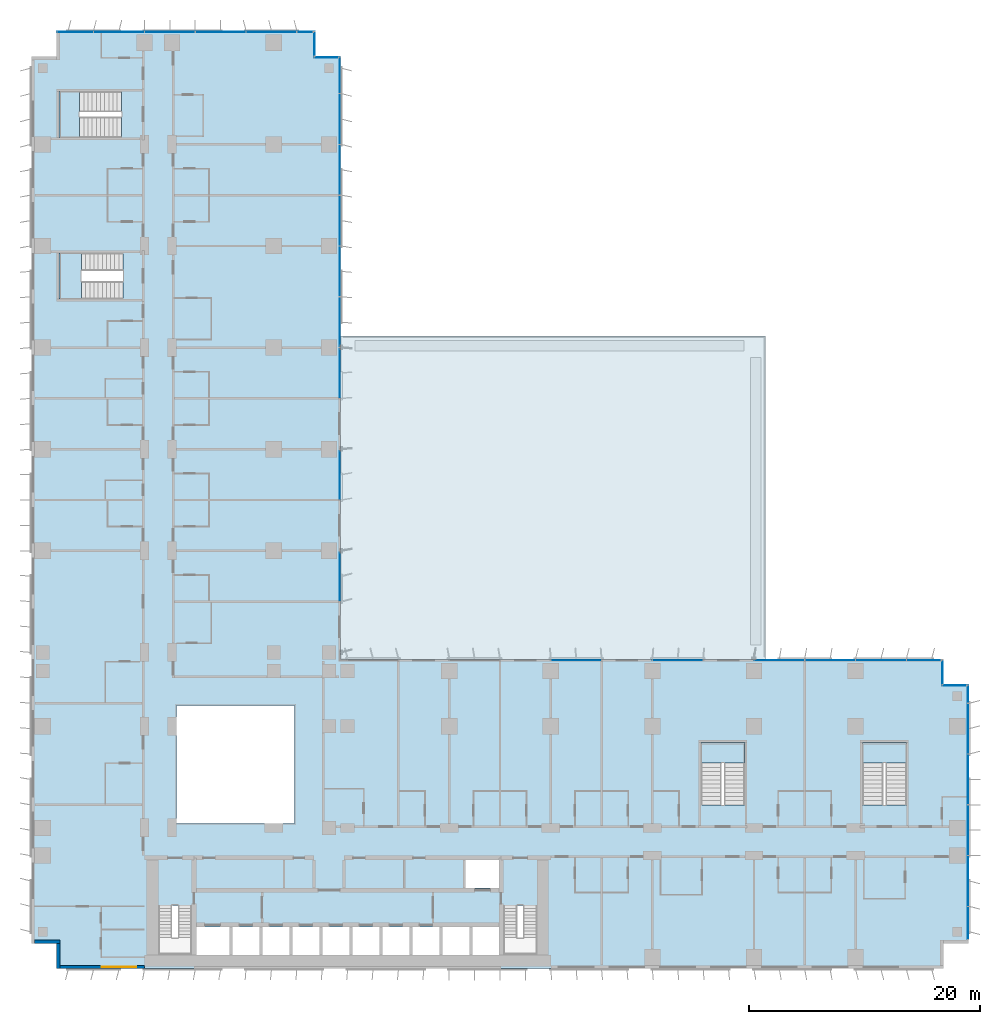
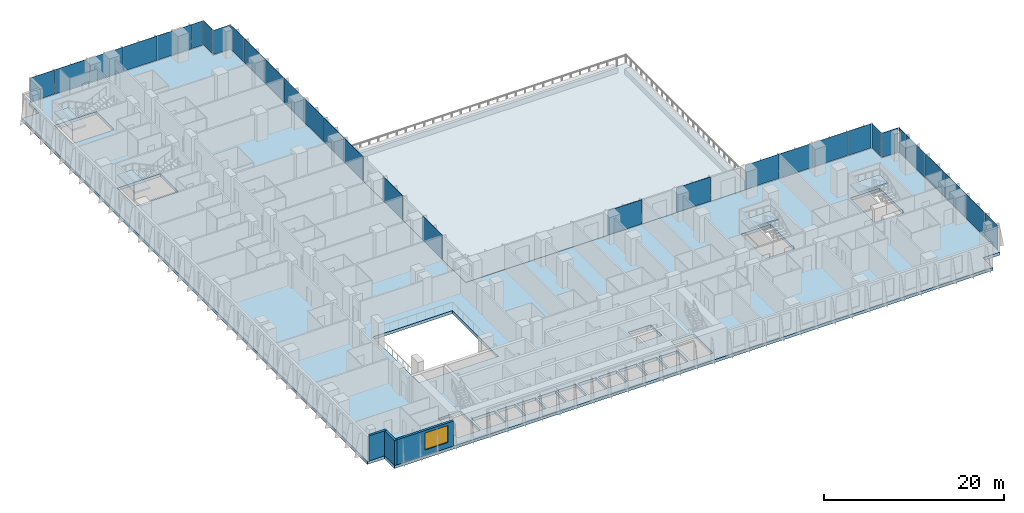
# One storey, part 9 of 23: 31 plates, 6 slabs, 3 walls, 1 window, 1 opening, 16 elements without a shape of their own.
"""IFC4 building model written with IfcOpenShell, lengths in metres."""

from ifc_helpers import new_model, si_unit, direction, frame, frame_2d, origin, origin_2d, place, context, subcontext, project, spatial, polyline, rectangle, outline, extrude, source, transform, mapped, material, layer, layer_set, type_object, element, fill, aggregate, save


model = new_model("IFC4")

# Units and contexts
model_context = context("Model", 3, precision=1e-05, world=origin(), true_north=direction((0.0, 1.0)))
body_context = subcontext(model_context, "Body", "Model", "MODEL_VIEW")
ifc_project = project(units=[si_unit("LENGTHUNIT", "METRE"), si_unit("AREAUNIT", "SQUARE_METRE"), si_unit("VOLUMEUNIT", "CUBIC_METRE"), si_unit("PLANEANGLEUNIT", "RADIAN"), si_unit("MASSUNIT", "GRAM", prefix="KILO")], contexts=[model_context])

# Site, building, storey
site_placement = place(None, origin())
site = spatial("IfcSite", under=ifc_project, at=site_placement, CompositionType="ELEMENT")
building_placement = place(site_placement, origin())
building = spatial("IfcBuilding", under=site, at=building_placement, Name="Kemantara Hotel Tower", CompositionType="ELEMENT")
storey_placement = place(building_placement, frame((0.0, 0.0, 34.0)))
storey = spatial("IfcBuildingStorey", under=building, at=storey_placement, Name="L06", CompositionType="ELEMENT", Elevation=34.0)

# Slabs
ifc_material_1 = material(Name="Concrete fc 40 MPa", Category="concrete")
ifc_layer_1 = layer(ifc_material_1, 0.39990234375)
ifc_layer_set_1 = layer_set([ifc_layer_1], Name="Concrete fc 40 MPa")
slab_type_1 = type_object("IfcSlabType", Name="POST-TENSIONED FLAT PLATE 400", PredefinedType="FLOOR", material=ifc_layer_set_1)
slab_1_placement = place(storey_placement, frame((0.0, 0.0, -0.39990234375)))
element("IfcSlab", 1, at=slab_1_placement, inside=storey, type_object=slab_type_1, Name="FLOOR SLAB L06", PredefinedType="FLOOR", context=body_context, shape_type="SweptSolid", body=[
    extrude(outline(polyline([(0.0, 2.199951171875), (2.199951171875, 2.199951171875), (2.199951171875, 0.0), (79.0, 0.0), (79.0, 2.199951171875), (81.199951171875, 2.199951171875), (81.199951171875, 24.60009765625), (79.0, 24.60009765625), (79.0, 26.800048828125), (26.800048828125, 26.800048828125), (26.800048828125, 79.0), (24.60009765625, 79.0), (24.60009765625, 81.199951171875), (2.199951171875, 81.199951171875), (2.199951171875, 79.0), (0.0, 79.0), (0.0, 2.199951171875)]), holes=[polyline([(17.175048828125, 1.199951171875), (14.22509765625, 1.199951171875), (14.22509765625, 3.60009765625), (17.175048828125, 3.60009765625), (17.175048828125, 1.199951171875)]), polyline([(19.77490234375, 1.199951171875), (17.425048828125, 1.199951171875), (17.425048828125, 3.60009765625), (19.77490234375, 3.60009765625), (19.77490234375, 1.199951171875)]), polyline([(22.375, 1.199951171875), (20.02490234375, 1.199951171875), (20.02490234375, 3.60009765625), (22.375, 3.60009765625), (22.375, 1.199951171875)]), polyline([(24.97509765625, 1.199951171875), (22.625, 1.199951171875), (22.625, 3.60009765625), (24.97509765625, 3.60009765625), (24.97509765625, 1.199951171875)]), polyline([(27.574951171875, 1.199951171875), (25.22509765625, 1.199951171875), (25.22509765625, 3.60009765625), (27.574951171875, 3.60009765625), (27.574951171875, 1.199951171875)]), polyline([(11.0, 1.199951171875), (11.0, 5.49951171875), (13.89990234375, 5.49951171875), (13.89990234375, 1.199951171875), (11.0, 1.199951171875)]), polyline([(22.800048828125, 12.60009765625), (12.60009765625, 12.60009765625), (12.60009765625, 22.800048828125), (22.800048828125, 22.800048828125), (22.800048828125, 12.60009765625)]), polyline([(7.949462890625, 62.0), (7.949462890625, 58.0), (2.39990234375, 58.0), (2.39990234375, 62.0), (7.949462890625, 62.0)]), polyline([(7.79931640625, 76.0), (7.79931640625, 72.0), (2.39990234375, 72.0), (2.39990234375, 76.0), (7.79931640625, 76.0)]), polyline([(30.175048828125, 1.199951171875), (27.824951171875, 1.199951171875), (27.824951171875, 3.60009765625), (30.175048828125, 3.60009765625), (30.175048828125, 1.199951171875)]), polyline([(32.77490234375, 1.199951171875), (30.425048828125, 1.199951171875), (30.425048828125, 3.60009765625), (32.77490234375, 3.60009765625), (32.77490234375, 1.199951171875)]), polyline([(35.375, 1.199951171875), (33.02490234375, 1.199951171875), (33.02490234375, 3.60009765625), (35.375, 3.60009765625), (35.375, 1.199951171875)]), polyline([(37.97509765625, 1.199951171875), (35.625, 1.199951171875), (35.625, 3.60009765625), (37.97509765625, 3.60009765625), (37.97509765625, 1.199951171875)]), polyline([(40.574951171875, 1.199951171875), (38.22509765625, 1.199951171875), (38.22509765625, 3.60009765625), (40.574951171875, 3.60009765625), (40.574951171875, 1.199951171875)]), polyline([(40.89990234375, 1.199951171875), (40.89990234375, 5.49951171875), (43.800048828125, 5.49951171875), (43.800048828125, 1.199951171875), (40.89990234375, 1.199951171875)]), polyline([(40.574951171875, 7.0), (37.625, 7.0), (37.625, 9.39990234375), (40.574951171875, 9.39990234375), (40.574951171875, 7.0)]), polyline([(61.800048828125, 14.20068359375), (58.0, 14.20068359375), (58.0, 19.60009765625), (61.800048828125, 19.60009765625), (61.800048828125, 14.20068359375)]), polyline([(75.800048828125, 14.20068359375), (72.0, 14.20068359375), (72.0, 19.60009765625), (75.800048828125, 19.60009765625), (75.800048828125, 14.20068359375)])]), origin(), (0.0, 0.0, 1.0), 0.39990234375),
])
ifc_layer_2 = layer(ifc_material_1, 0.39990234375)
ifc_layer_set_2 = layer_set([ifc_layer_2], Name="Concrete fc 40 MPa")
slab_type_2 = type_object("IfcSlabType", Name="REINFORCED DECK SLAB 400", PredefinedType="FLOOR", material=ifc_layer_set_2)
slab_2_placement = place(storey_placement, frame((0.0, 0.0, -0.449951171875)))
element("IfcSlab", 2, at=slab_2_placement, inside=storey, type_object=slab_type_2, Name="TERRACE SLAB PODIUM", PredefinedType="FLOOR", context=body_context, shape_type="SweptSolid", body=[
    extrude(outline(polyline([(26.800048828125, 54.800048828125), (26.800048828125, 26.800048828125), (63.60009765625, 26.800048828125), (63.60009765625, 54.800048828125), (26.800048828125, 54.800048828125)])), origin(), (0.0, 0.0, 1.0), 0.39990234375),
])

# Stair, slab
stair_type_1 = type_object("IfcStairType", Name="Stair 1800 wide 22 risers of 168 x 360 mm", PredefinedType="HALF_TURN_STAIR", material=ifc_material_1)
stair_1_placement = place(storey_placement, origin())
stair_1 = element("IfcStair", 3, at=stair_1_placement, inside=storey, type_object=stair_type_1, Name="L06 Exit stair ST3", PredefinedType="HALF_TURN_STAIR")
ifc_layer_3 = layer(ifc_material_1, 0.199951171875)
ifc_layer_set_3 = layer_set([ifc_layer_3], Name="Concrete fc 40 MPa")
slab_type_3 = type_object("IfcSlabType", Name="Stair landing 200 mm", PredefinedType="LANDING", material=ifc_layer_set_3)
slab_3_placement = place(storey_placement, frame((0.0, 0.0, 1.64990234375)))
slab_3 = element("IfcSlab", 4, at=slab_3_placement, type_object=slab_type_3, Name="ST3 landing 1", PredefinedType="LANDING", context=body_context, shape_type="SweptSolid", body=[
    extrude(outline(polyline([(61.800048828125, 17.800048828125), (61.800048828125, 19.60009765625), (58.0, 19.60009765625), (58.0, 17.800048828125), (61.800048828125, 17.800048828125)])), origin(), (0.0, 0.0, 1.0), 0.2001953125),
])
aggregate(stair_1, [slab_3])

stair_type_2 = type_object("IfcStairType", Name="Stair 1550 wide 22 risers of 168 x 360 mm", PredefinedType="HALF_TURN_STAIR", material=ifc_material_1)
stair_2_placement = place(storey_placement, origin())
stair_2 = element("IfcStair", 5, at=stair_2_placement, inside=storey, type_object=stair_type_2, Name="L06 Exit stair ST4", PredefinedType="HALF_TURN_STAIR")
slab_4_placement = place(storey_placement, frame((0.0, 0.0, 1.64990234375)))
slab_4 = element("IfcSlab", 6, at=slab_4_placement, type_object=slab_type_3, Name="ST4 landing 1", PredefinedType="LANDING", context=body_context, shape_type="SweptSolid", body=[
    extrude(outline(polyline([(4.35009765625, 62.0), (2.39990234375, 62.0), (2.39990234375, 58.0), (4.35009765625, 58.0), (4.35009765625, 62.0)])), origin(), (0.0, 0.0, 1.0), 0.2001953125),
])
aggregate(stair_2, [slab_4])

stair_3_placement = place(storey_placement, origin())
stair_3 = element("IfcStair", 7, at=stair_3_placement, inside=storey, type_object=stair_type_1, Name="L06 Exit stair ST5", PredefinedType="HALF_TURN_STAIR")
slab_5_placement = place(storey_placement, frame((0.0, 0.0, 1.64990234375)))
slab_5 = element("IfcSlab", 8, at=slab_5_placement, type_object=slab_type_3, Name="ST5 landing 1", PredefinedType="LANDING", context=body_context, shape_type="SweptSolid", body=[
    extrude(outline(polyline([(75.800048828125, 17.800048828125), (75.800048828125, 19.60009765625), (72.0, 19.60009765625), (72.0, 17.800048828125), (75.800048828125, 17.800048828125)])), origin(), (0.0, 0.0, 1.0), 0.2001953125),
])
aggregate(stair_3, [slab_5])

stair_4_placement = place(storey_placement, origin())
stair_4 = element("IfcStair", 9, at=stair_4_placement, inside=storey, type_object=stair_type_1, Name="L06 Exit stair ST6", PredefinedType="HALF_TURN_STAIR")
slab_6_placement = place(storey_placement, frame((0.0, 0.0, 1.64990234375)))
slab_6 = element("IfcSlab", 10, at=slab_6_placement, type_object=slab_type_3, Name="ST6 landing 1", PredefinedType="LANDING", context=body_context, shape_type="SweptSolid", body=[
    extrude(outline(polyline([(4.199951171875, 76.0), (2.39990234375, 76.0), (2.39990234375, 72.0), (4.199951171875, 72.0), (4.199951171875, 76.0)])), origin(), (0.0, 0.0, 1.0), 0.2001953125),
])
aggregate(stair_4, [slab_6])

# Curtain wall, plates
ifc_material_2 = material(Name="Low-E tinted double insulated glass 36 mm", Category="glass")
curtain_wall_type_1 = type_object("IfcCurtainWallType", Name="TOWER CURTAIN WALL, FRONT FACES", PredefinedType="USERDEFINED", material=ifc_material_2)
curtain_wall_1_placement = place(storey_placement, origin())
curtain_wall_1 = element("IfcCurtainWall", 11, at=curtain_wall_1_placement, inside=storey, type_object=curtain_wall_type_1, Name="CW4 L06 T1-R04-1", ObjectType="TOWER CURTAIN WALL, FRONT FACES", PredefinedType="USERDEFINED")
ifc_layer_4 = layer(ifc_material_2, 0.035888671875)
ifc_layer_set_4 = layer_set([ifc_layer_4], Name="Low-E tinted double insulated glass 36 mm")
plate_type_1 = type_object("IfcPlateType", Name="TOWER CURTAIN WALL, FRONT FACES PANEL", PredefinedType="CURTAIN_PANEL", material=ifc_layer_set_4)
shared_shape_1 = source(origin(), body_context, "Body", "SweptSolid", [
    extrude(rectangle(XDim=2.81005859375, YDim=0.035888671875, at=origin_2d()), origin(), (0.0, 0.0, 1.0), 3.280029296875),
])
plate_1_placement = place(storey_placement, frame((81.125, 3.965087890625, 0.1201171875), z_axis=(0.0, 0.0, 1.0), x_axis=(0.0, 1.0, 0.0)))
plate_1 = element("IfcPlate", 12, at=plate_1_placement, type_object=plate_type_1, Name="CW4 glass panel T1-R04-1.1", PredefinedType="CURTAIN_PANEL", context=body_context, shape_type="MappedRepresentation", body=[
    mapped(shared_shape_1, transform((0.0, 0.0, 0.0))),
])
shared_shape_2 = source(origin(), body_context, "Body", "SweptSolid", [
    extrude(rectangle(XDim=4.340087890625, YDim=0.035888671875, at=origin_2d()), origin(), (0.0, 0.0, 1.0), 3.280029296875),
])
plate_2_placement = place(storey_placement, frame((81.125, 7.60009765625, 0.1201171875), z_axis=(0.0, 0.0, 1.0), x_axis=(0.0, 1.0, 0.0)))
plate_2 = element("IfcPlate", 13, at=plate_2_placement, type_object=plate_type_1, Name="CW4 glass panel T1-R04-1.2", PredefinedType="CURTAIN_PANEL", context=body_context, shape_type="MappedRepresentation", body=[
    mapped(shared_shape_2, transform((0.0, 0.0, 0.0))),
])
plate_3_placement = place(storey_placement, frame((81.125, 12.0, 0.1201171875), z_axis=(0.0, 0.0, 1.0), x_axis=(0.0, 1.0, 0.0)))
plate_3 = element("IfcPlate", 14, at=plate_3_placement, type_object=plate_type_1, Name="CW4 glass panel T1-R04-1.3", PredefinedType="CURTAIN_PANEL", context=body_context, shape_type="MappedRepresentation", body=[
    mapped(shared_shape_2, transform((0.0, 0.0, 0.0))),
])
plate_4_placement = place(storey_placement, frame((81.125, 16.39990234375, 0.1201171875), z_axis=(0.0, 0.0, 1.0), x_axis=(0.0, 1.0, 0.0)))
plate_4 = element("IfcPlate", 15, at=plate_4_placement, type_object=plate_type_1, Name="CW4 glass panel T1-R04-1.4", PredefinedType="CURTAIN_PANEL", context=body_context, shape_type="MappedRepresentation", body=[
    mapped(shared_shape_2, transform((0.0, 0.0, 0.0))),
])
plate_5_placement = place(storey_placement, frame((81.125, 20.800048828125, 0.1201171875), z_axis=(0.0, 0.0, 1.0), x_axis=(0.0, 1.0, 0.0)))
plate_5 = element("IfcPlate", 16, at=plate_5_placement, type_object=plate_type_1, Name="CW4 glass panel T1-R04-1.5", PredefinedType="CURTAIN_PANEL", context=body_context, shape_type="MappedRepresentation", body=[
    mapped(shared_shape_2, transform((0.0, 0.0, 0.0))),
])

curtain_wall_2_placement = place(storey_placement, origin())
curtain_wall_2 = element("IfcCurtainWall", 17, at=curtain_wall_2_placement, inside=storey, type_object=curtain_wall_type_1, Name="CW4 L06 T1-R11-1", ObjectType="TOWER CURTAIN WALL, FRONT FACES", PredefinedType="USERDEFINED")
plate_6_placement = place(storey_placement, frame((20.800048828125, 81.125, 0.1201171875), z_axis=(0.0, 0.0, 1.0), x_axis=(-1.0, 0.0, 0.0)))
plate_6 = element("IfcPlate", 18, at=plate_6_placement, type_object=plate_type_1, Name="CW4 glass panel T1-R11-1.2", PredefinedType="CURTAIN_PANEL", context=body_context, shape_type="MappedRepresentation", body=[
    mapped(shared_shape_2, transform((0.0, 0.0, 0.0))),
])
plate_7_placement = place(storey_placement, frame((16.39990234375, 81.125, 0.1201171875), z_axis=(0.0, 0.0, 1.0), x_axis=(-1.0, 0.0, 0.0)))
plate_7 = element("IfcPlate", 19, at=plate_7_placement, type_object=plate_type_1, Name="CW4 glass panel T1-R11-1.3", PredefinedType="CURTAIN_PANEL", context=body_context, shape_type="MappedRepresentation", body=[
    mapped(shared_shape_2, transform((0.0, 0.0, 0.0))),
])
plate_8_placement = place(storey_placement, frame((12.0, 81.125, 0.1201171875), z_axis=(0.0, 0.0, 1.0), x_axis=(-1.0, 0.0, 0.0)))
plate_8 = element("IfcPlate", 20, at=plate_8_placement, type_object=plate_type_1, Name="CW4 glass panel T1-R11-1.4", PredefinedType="CURTAIN_PANEL", context=body_context, shape_type="MappedRepresentation", body=[
    mapped(shared_shape_2, transform((0.0, 0.0, 0.0))),
])
plate_9_placement = place(storey_placement, frame((7.60009765625, 81.125, 0.1201171875), z_axis=(0.0, 0.0, 1.0), x_axis=(-1.0, 0.0, 0.0)))
plate_9 = element("IfcPlate", 21, at=plate_9_placement, type_object=plate_type_1, Name="CW4 glass panel T1-R11-1.5", PredefinedType="CURTAIN_PANEL", context=body_context, shape_type="MappedRepresentation", body=[
    mapped(shared_shape_2, transform((0.0, 0.0, 0.0))),
])

# Plate
shared_shape_3 = source(origin(), body_context, "Body", "SweptSolid", [
    extrude(rectangle(XDim=1.510009765625, YDim=0.035888671875, at=origin_2d()), origin(), (0.0, 0.0, 1.0), 3.280029296875),
])
plate_10_placement = place(storey_placement, frame((81.125, 23.784912109375, 0.1201171875), z_axis=(0.0, 0.0, 1.0), x_axis=(0.0, 1.0, 0.0)))
plate_10 = element("IfcPlate", 22, at=plate_10_placement, type_object=plate_type_1, Name="CW4 glass panel T1-R04-1.6", PredefinedType="CURTAIN_PANEL", context=body_context, shape_type="MappedRepresentation", body=[
    mapped(shared_shape_3, transform((0.0, 0.0, 0.0))),
])

aggregate(curtain_wall_1, [plate_1, plate_2, plate_3, plate_4, plate_5, plate_10])

# Curtain wall, plates
ifc_material_3 = material(Name="Toughened tinted glass 32 mm", Category="glass")
curtain_wall_type_2 = type_object("IfcCurtainWallType", Name="TERRACE GLAZING WALL", PredefinedType="USERDEFINED", material=ifc_material_3)
curtain_wall_3_placement = place(storey_placement, origin())
curtain_wall_3 = element("IfcCurtainWall", 23, at=curtain_wall_3_placement, inside=storey, type_object=curtain_wall_type_2, Name="CW6 L06 T1-R07-1", ObjectType="TERRACE GLAZING WALL", PredefinedType="USERDEFINED")
ifc_layer_5 = layer(ifc_material_3, 0.031982421875)
ifc_layer_set_5 = layer_set([ifc_layer_5], Name="Toughened tinted glass 32 mm")
plate_type_2 = type_object("IfcPlateType", Name="TERRACE GLAZING WALL PANEL", PredefinedType="CURTAIN_PANEL", material=ifc_layer_set_5)
shared_shape_4 = source(origin(), body_context, "Body", "SweptSolid", [
    extrude(rectangle(XDim=2.9599609375, YDim=0.031982421875, at=origin_2d()), origin(), (0.0, 0.0, 1.0), 3.280029296875),
])
plate_11_placement = place(storey_placement, frame((77.31005859375, 26.72509765625, 0.1201171875), z_axis=(0.0, 0.0, 1.0), x_axis=(-1.0, 0.0, 0.0)))
plate_11 = element("IfcPlate", 24, at=plate_11_placement, type_object=plate_type_2, Name="CW6 glass panel T1-R07-1.1", PredefinedType="CURTAIN_PANEL", context=body_context, shape_type="MappedRepresentation", body=[
    mapped(shared_shape_4, transform((0.0, 0.0, 0.0))),
])
shared_shape_5 = source(origin(), body_context, "Body", "SweptSolid", [
    extrude(rectangle(XDim=4.340087890625, YDim=0.031982421875, at=origin_2d()), origin(), (0.0, 0.0, 1.0), 3.280029296875),
])
plate_12_placement = place(storey_placement, frame((73.60009765625, 26.72509765625, 0.1201171875), z_axis=(0.0, 0.0, 1.0), x_axis=(-1.0, 0.0, 0.0)))
plate_12 = element("IfcPlate", 25, at=plate_12_placement, type_object=plate_type_2, Name="CW6 glass panel T1-R07-1.2", PredefinedType="CURTAIN_PANEL", context=body_context, shape_type="MappedRepresentation", body=[
    mapped(shared_shape_5, transform((0.0, 0.0, 0.0))),
])
plate_13_placement = place(storey_placement, frame((69.199951171875, 26.72509765625, 0.1201171875), z_axis=(0.0, 0.0, 1.0), x_axis=(-1.0, 0.0, 0.0)))
plate_13 = element("IfcPlate", 26, at=plate_13_placement, type_object=plate_type_2, Name="CW6 glass panel T1-R07-1.3", PredefinedType="CURTAIN_PANEL", context=body_context, shape_type="MappedRepresentation", body=[
    mapped(shared_shape_5, transform((0.0, 0.0, 0.0))),
])
plate_14_placement = place(storey_placement, frame((64.800048828125, 26.72509765625, 0.1201171875), z_axis=(0.0, 0.0, 1.0), x_axis=(-1.0, 0.0, 0.0)))
plate_14 = element("IfcPlate", 27, at=plate_14_placement, type_object=plate_type_2, Name="CW6 glass panel T1-R07-1.4", PredefinedType="CURTAIN_PANEL", context=body_context, shape_type="MappedRepresentation", body=[
    mapped(shared_shape_5, transform((0.0, 0.0, 0.0))),
])
aggregate(curtain_wall_3, [plate_11, plate_12, plate_13, plate_14])

# Curtain wall, plate
curtain_wall_4_placement = place(storey_placement, origin())
curtain_wall_4 = element("IfcCurtainWall", 28, at=curtain_wall_4_placement, inside=storey, type_object=curtain_wall_type_2, Name="CW6 L06 T1-R07-2", ObjectType="TERRACE GLAZING WALL", PredefinedType="USERDEFINED")
plate_15_placement = place(storey_placement, frame((56.0, 26.72509765625, 0.1201171875), z_axis=(0.0, 0.0, 1.0), x_axis=(-1.0, 0.0, 0.0)))
plate_15 = element("IfcPlate", 29, at=plate_15_placement, type_object=plate_type_2, Name="CW6 glass panel T1-R07-2.1", PredefinedType="CURTAIN_PANEL", context=body_context, shape_type="MappedRepresentation", body=[
    mapped(shared_shape_5, transform((0.0, 0.0, 0.0))),
])
aggregate(curtain_wall_4, [plate_15])

curtain_wall_5_placement = place(storey_placement, origin())
curtain_wall_5 = element("IfcCurtainWall", 30, at=curtain_wall_5_placement, inside=storey, type_object=curtain_wall_type_2, Name="CW6 L06 T1-R07-3", ObjectType="TERRACE GLAZING WALL", PredefinedType="USERDEFINED")
plate_16_placement = place(storey_placement, frame((47.199951171875, 26.72509765625, 0.1201171875), z_axis=(0.0, 0.0, 1.0), x_axis=(-1.0, 0.0, 0.0)))
plate_16 = element("IfcPlate", 31, at=plate_16_placement, type_object=plate_type_2, Name="CW6 glass panel T1-R07-3.1", PredefinedType="CURTAIN_PANEL", context=body_context, shape_type="MappedRepresentation", body=[
    mapped(shared_shape_5, transform((0.0, 0.0, 0.0))),
])
aggregate(curtain_wall_5, [plate_16])

curtain_wall_6_placement = place(storey_placement, origin())
curtain_wall_6 = element("IfcCurtainWall", 32, at=curtain_wall_6_placement, inside=storey, type_object=curtain_wall_type_2, Name="CW6 L06 T1-R08-2", ObjectType="TERRACE GLAZING WALL", PredefinedType="USERDEFINED")
plate_17_placement = place(storey_placement, frame((26.72509765625, 34.0, 0.1201171875), z_axis=(0.0, 0.0, 1.0), x_axis=(0.0, 1.0, 0.0)))
plate_17 = element("IfcPlate", 33, at=plate_17_placement, type_object=plate_type_2, Name="CW6 glass panel T1-R08-2.1", PredefinedType="CURTAIN_PANEL", context=body_context, shape_type="MappedRepresentation", body=[
    mapped(shared_shape_5, transform((0.0, 0.0, 0.0))),
])
aggregate(curtain_wall_6, [plate_17])

curtain_wall_7_placement = place(storey_placement, origin())
curtain_wall_7 = element("IfcCurtainWall", 34, at=curtain_wall_7_placement, inside=storey, type_object=curtain_wall_type_2, Name="CW6 L06 T1-R08-3", ObjectType="TERRACE GLAZING WALL", PredefinedType="USERDEFINED")
plate_18_placement = place(storey_placement, frame((26.72509765625, 42.800048828125, 0.1201171875), z_axis=(0.0, 0.0, 1.0), x_axis=(0.0, 1.0, 0.0)))
plate_18 = element("IfcPlate", 35, at=plate_18_placement, type_object=plate_type_2, Name="CW6 glass panel T1-R08-3.1", PredefinedType="CURTAIN_PANEL", context=body_context, shape_type="MappedRepresentation", body=[
    mapped(shared_shape_5, transform((0.0, 0.0, 0.0))),
])
aggregate(curtain_wall_7, [plate_18])

# Curtain wall, plates
curtain_wall_8_placement = place(storey_placement, origin())
curtain_wall_8 = element("IfcCurtainWall", 36, at=curtain_wall_8_placement, inside=storey, type_object=curtain_wall_type_2, Name="CW6 L06 T1-R08-4", ObjectType="TERRACE GLAZING WALL", PredefinedType="USERDEFINED")
plate_19_placement = place(storey_placement, frame((26.72509765625, 51.60009765625, 0.1201171875), z_axis=(0.0, 0.0, 1.0), x_axis=(0.0, 1.0, 0.0)))
plate_19 = element("IfcPlate", 37, at=plate_19_placement, type_object=plate_type_2, Name="CW6 glass panel T1-R08-4.1", PredefinedType="CURTAIN_PANEL", context=body_context, shape_type="MappedRepresentation", body=[
    mapped(shared_shape_5, transform((0.0, 0.0, 0.0))),
])
plate_20_placement = place(storey_placement, frame((26.72509765625, 56.0, 0.1201171875), z_axis=(0.0, 0.0, 1.0), x_axis=(0.0, 1.0, 0.0)))
plate_20 = element("IfcPlate", 38, at=plate_20_placement, type_object=plate_type_2, Name="CW6 glass panel T1-R08-4.2", PredefinedType="CURTAIN_PANEL", context=body_context, shape_type="MappedRepresentation", body=[
    mapped(shared_shape_5, transform((0.0, 0.0, 0.0))),
])
plate_21_placement = place(storey_placement, frame((26.72509765625, 60.39990234375, 0.1201171875), z_axis=(0.0, 0.0, 1.0), x_axis=(0.0, 1.0, 0.0)))
plate_21 = element("IfcPlate", 39, at=plate_21_placement, type_object=plate_type_2, Name="CW6 glass panel T1-R08-4.3", PredefinedType="CURTAIN_PANEL", context=body_context, shape_type="MappedRepresentation", body=[
    mapped(shared_shape_5, transform((0.0, 0.0, 0.0))),
])
plate_22_placement = place(storey_placement, frame((26.72509765625, 64.800048828125, 0.1201171875), z_axis=(0.0, 0.0, 1.0), x_axis=(0.0, 1.0, 0.0)))
plate_22 = element("IfcPlate", 40, at=plate_22_placement, type_object=plate_type_2, Name="CW6 glass panel T1-R08-4.4", PredefinedType="CURTAIN_PANEL", context=body_context, shape_type="MappedRepresentation", body=[
    mapped(shared_shape_5, transform((0.0, 0.0, 0.0))),
])
plate_23_placement = place(storey_placement, frame((26.72509765625, 69.199951171875, 0.1201171875), z_axis=(0.0, 0.0, 1.0), x_axis=(0.0, 1.0, 0.0)))
plate_23 = element("IfcPlate", 41, at=plate_23_placement, type_object=plate_type_2, Name="CW6 glass panel T1-R08-4.5", PredefinedType="CURTAIN_PANEL", context=body_context, shape_type="MappedRepresentation", body=[
    mapped(shared_shape_5, transform((0.0, 0.0, 0.0))),
])
plate_24_placement = place(storey_placement, frame((26.72509765625, 73.60009765625, 0.1201171875), z_axis=(0.0, 0.0, 1.0), x_axis=(0.0, 1.0, 0.0)))
plate_24 = element("IfcPlate", 42, at=plate_24_placement, type_object=plate_type_2, Name="CW6 glass panel T1-R08-4.6", PredefinedType="CURTAIN_PANEL", context=body_context, shape_type="MappedRepresentation", body=[
    mapped(shared_shape_5, transform((0.0, 0.0, 0.0))),
])
shared_shape_6 = source(origin(), body_context, "Body", "SweptSolid", [
    extrude(rectangle(XDim=3.110107421875, YDim=0.031982421875, at=origin_2d()), origin(), (0.0, 0.0, 1.0), 3.280029296875),
])
plate_25_placement = place(storey_placement, frame((26.72509765625, 77.385009765625, 0.1201171875), z_axis=(0.0, 0.0, 1.0), x_axis=(0.0, 1.0, 0.0)))
plate_25 = element("IfcPlate", 43, at=plate_25_placement, type_object=plate_type_2, Name="CW6 glass panel T1-R08-4.7", PredefinedType="CURTAIN_PANEL", context=body_context, shape_type="MappedRepresentation", body=[
    mapped(shared_shape_6, transform((0.0, 0.0, 0.0))),
])
aggregate(curtain_wall_8, [plate_19, plate_20, plate_21, plate_22, plate_23, plate_24, plate_25])

# Plate
shared_shape_7 = source(origin(), body_context, "Body", "SweptSolid", [
    extrude(rectangle(XDim=1.360107421875, YDim=0.035888671875, at=origin_2d()), origin(), (0.0, 0.0, 1.0), 3.280029296875),
])
plate_26_placement = place(storey_placement, frame((23.7099609375, 81.125, 0.1201171875), z_axis=(0.0, 0.0, 1.0), x_axis=(-1.0, 0.0, 0.0)))
plate_26 = element("IfcPlate", 44, at=plate_26_placement, type_object=plate_type_1, Name="CW4 glass panel T1-R11-1.1", PredefinedType="CURTAIN_PANEL", context=body_context, shape_type="MappedRepresentation", body=[
    mapped(shared_shape_7, transform((0.0, 0.0, 0.0))),
])

shared_shape_8 = source(origin(), body_context, "Body", "SweptSolid", [
    extrude(rectangle(XDim=3.110107421875, YDim=0.035888671875, at=origin_2d()), origin(), (0.0, 0.0, 1.0), 3.280029296875),
])
plate_27_placement = place(storey_placement, frame((3.81494140625, 81.125, 0.1201171875), z_axis=(0.0, 0.0, 1.0), x_axis=(-1.0, 0.0, 0.0)))
plate_27 = element("IfcPlate", 45, at=plate_27_placement, type_object=plate_type_1, Name="CW4 glass panel T1-R11-1.6", PredefinedType="CURTAIN_PANEL", context=body_context, shape_type="MappedRepresentation", body=[
    mapped(shared_shape_8, transform((0.0, 0.0, 0.0))),
])

aggregate(curtain_wall_2, [plate_26, plate_6, plate_7, plate_8, plate_9, plate_27])

# Curtain wall, plate
curtain_wall_9_placement = place(storey_placement, origin())
curtain_wall_9 = element("IfcCurtainWall", 46, at=curtain_wall_9_placement, inside=storey, type_object=curtain_wall_type_1, Name="CW4 L06 T1-R05-1", ObjectType="TOWER CURTAIN WALL, FRONT FACES", PredefinedType="USERDEFINED")
shared_shape_9 = source(origin(), body_context, "Body", "SweptSolid", [
    extrude(rectangle(XDim=2.080078125, YDim=0.035888671875, at=origin_2d()), origin(), (0.0, 0.0, 1.0), 3.280029296875),
])
plate_28_placement = place(storey_placement, frame((79.949951171875, 24.52490234375, 0.1201171875), z_axis=(0.0, 0.0, 1.0), x_axis=(-1.0, 0.0, 0.0)))
plate_28 = element("IfcPlate", 47, at=plate_28_placement, type_object=plate_type_1, Name="CW4 glass panel T1-R05-1.1", PredefinedType="CURTAIN_PANEL", context=body_context, shape_type="MappedRepresentation", body=[
    mapped(shared_shape_9, transform((0.0, 0.0, 0.0))),
])
aggregate(curtain_wall_9, [plate_28])

curtain_wall_10_placement = place(storey_placement, origin())
curtain_wall_10 = element("IfcCurtainWall", 48, at=curtain_wall_10_placement, inside=storey, type_object=curtain_wall_type_1, Name="CW4 L06 T1-R06-1", ObjectType="TOWER CURTAIN WALL, FRONT FACES", PredefinedType="USERDEFINED")
plate_29_placement = place(storey_placement, frame((78.925048828125, 25.699951171875, 0.1201171875), z_axis=(0.0, 0.0, 1.0), x_axis=(0.0, 1.0, 0.0)))
plate_29 = element("IfcPlate", 49, at=plate_29_placement, type_object=plate_type_1, Name="CW4 glass panel T1-R06-1.1", PredefinedType="CURTAIN_PANEL", context=body_context, shape_type="MappedRepresentation", body=[
    mapped(shared_shape_9, transform((0.0, 0.0, 0.0))),
])
aggregate(curtain_wall_10, [plate_29])

curtain_wall_11_placement = place(storey_placement, origin())
curtain_wall_11 = element("IfcCurtainWall", 50, at=curtain_wall_11_placement, inside=storey, type_object=curtain_wall_type_2, Name="CW6 L06 T1-R09-1", ObjectType="TERRACE GLAZING WALL", PredefinedType="USERDEFINED")
shared_shape_10 = source(origin(), body_context, "Body", "SweptSolid", [
    extrude(rectangle(XDim=2.080078125, YDim=0.031982421875, at=origin_2d()), origin(), (0.0, 0.0, 1.0), 3.280029296875),
])
plate_30_placement = place(storey_placement, frame((25.550048828125, 78.925048828125, 0.1201171875), z_axis=(0.0, 0.0, 1.0), x_axis=(-1.0, 0.0, 0.0)))
plate_30 = element("IfcPlate", 51, at=plate_30_placement, type_object=plate_type_2, Name="CW6 glass panel T1-R09-1.1", PredefinedType="CURTAIN_PANEL", context=body_context, shape_type="MappedRepresentation", body=[
    mapped(shared_shape_10, transform((0.0, 0.0, 0.0))),
])
aggregate(curtain_wall_11, [plate_30])

curtain_wall_12_placement = place(storey_placement, origin())
curtain_wall_12 = element("IfcCurtainWall", 52, at=curtain_wall_12_placement, inside=storey, type_object=curtain_wall_type_2, Name="CW6 L06 T1-R10-1", ObjectType="TERRACE GLAZING WALL", PredefinedType="USERDEFINED")
plate_31_placement = place(storey_placement, frame((24.52490234375, 80.10009765625, 0.1201171875), z_axis=(0.0, 0.0, 1.0), x_axis=(0.0, 1.0, 0.0)))
plate_31 = element("IfcPlate", 53, at=plate_31_placement, type_object=plate_type_2, Name="CW6 glass panel T1-R10-1.1", PredefinedType="CURTAIN_PANEL", context=body_context, shape_type="MappedRepresentation", body=[
    mapped(shared_shape_10, transform((0.0, 0.0, 0.0))),
])
aggregate(curtain_wall_12, [plate_31])

# Wall
ifc_material_4 = material(Name="Bronze anodised aluminium cladding on insulated steel stud wall", Category="steel")
ifc_layer_6 = layer(ifc_material_4, 0.300048828125)
ifc_layer_set_6 = layer_set([ifc_layer_6], Name="Bronze anodised aluminium cladding on insulated steel stud wall")
wall_type = type_object("IfcWallType", Name="BRONZE METAL-CLAD EXTERNAL WALL 300", PredefinedType="STANDARD", material=ifc_layer_set_6)
wall_1_placement = place(storey_placement, frame((2.35009765625, 2.199951171875, 0.0), z_axis=(0.0, 0.0, 1.0), x_axis=(0.0, -1.0, 0.0)))
element("IfcWall", 54, at=wall_1_placement, inside=storey, type_object=wall_type, Name="EXTERNAL WALL L06 T1-R00", PredefinedType="STANDARD", context=body_context, shape_type="SweptSolid", body=[
    extrude(rectangle(XDim=2.199951171875, YDim=0.300048828125, at=frame_2d((1.10009765625, 0.0))), origin(), (0.0, 0.0, 1.0), 3.39990234375),
])

# Wall, opening, window
wall_2_placement = place(storey_placement, frame((2.5, 0.14990234375, 0.0), z_axis=(0.0, 0.0, 1.0), x_axis=(1.0, 0.0, 0.0)))
wall_2 = element("IfcWall", 55, at=wall_2_placement, inside=storey, type_object=wall_type, Name="EXTERNAL WALL L06 T1-R01", PredefinedType="STANDARD", context=body_context, shape_type="SweptSolid", body=[
    extrude(rectangle(XDim=7.300048828125, YDim=0.300048828125, at=frame_2d((3.64990234375, 0.0))), origin(), (0.0, 0.0, 1.0), 3.39990234375),
])
opening_placement = place(wall_2_placement, frame((3.60009765625, 0.0, 0.75)))
opening = element("IfcOpeningElement", 56, at=opening_placement, cuts=wall_2, Name="Opening W1", PredefinedType="OPENING", context=body_context, shape_type="SweptSolid", body=[
    extrude(rectangle(XDim=3.0, YDim=2.300048828125, at=frame_2d((1.5, 1.14990234375))), frame((0.0, 0.159912109375, 0.0), z_axis=(0.0, -1.0, 0.0), x_axis=(1.0, 0.0, 0.0)), (0.0, 0.0, 1.0), 0.320068359375),
])
ifc_material_5 = material(Name="Low-E tinted double insulated glass in bronze anodised aluminium frame", Category="aluminium")
window_type = type_object("IfcWindowType", Name="CHICAGO WINDOW, TRIPLE PANEL 3000x2300", PartitioningType="TRIPLE_PANEL_VERTICAL", PredefinedType="WINDOW", material=ifc_material_5)
window_placement = place(opening_placement, origin())
window = element("IfcWindow", 57, at=window_placement, inside=storey, type_object=window_type, Name="CHICAGO WINDOW L06 T1-R01-54", OverallHeight=2.300048828125, OverallWidth=3.0, PartitioningType="SINGLE_PANEL", PredefinedType="WINDOW", context=body_context, shape_type="SweptSolid", body=[
    extrude(rectangle(XDim=3.0, YDim=2.300048828125, at=frame_2d((1.5, 1.14990234375))), frame((0.0, 0.030029296875, 0.0), z_axis=(0.0, -1.0, 0.0), x_axis=(1.0, 0.0, 0.0)), (0.0, 0.0, 1.0), 0.06005859375),
])
fill(opening, window)

# Wall
wall_3_placement = place(storey_placement, frame((0.300048828125, 2.35009765625, 0.0), z_axis=(0.0, 0.0, 1.0), x_axis=(1.0, 0.0, 0.0)))
element("IfcWall", 58, at=wall_3_placement, inside=storey, type_object=wall_type, Name="EXTERNAL WALL L06 T1-R15", PredefinedType="STANDARD", context=body_context, shape_type="SweptSolid", body=[
    extrude(rectangle(XDim=2.199951171875, YDim=0.300048828125, at=frame_2d((1.10009765625, 0.0))), origin(), (0.0, 0.0, 1.0), 3.39990234375),
])

save(model, "model.ifc")
